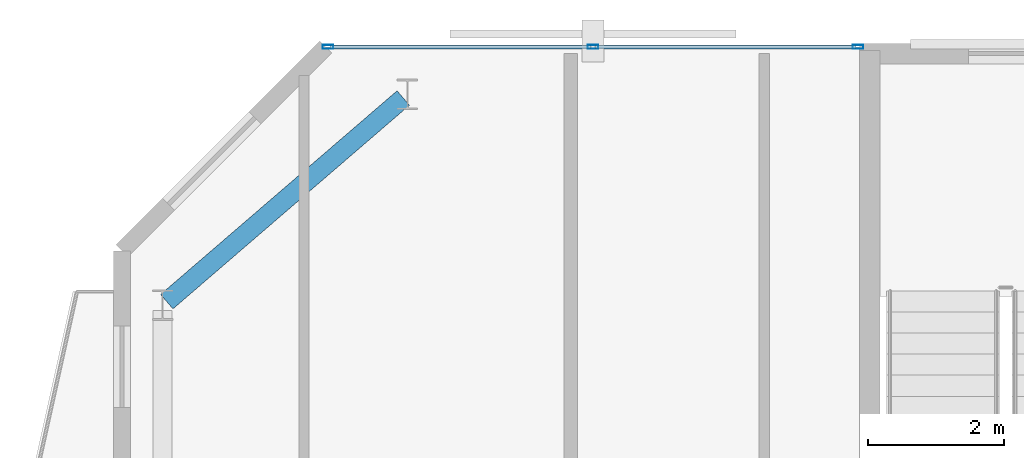
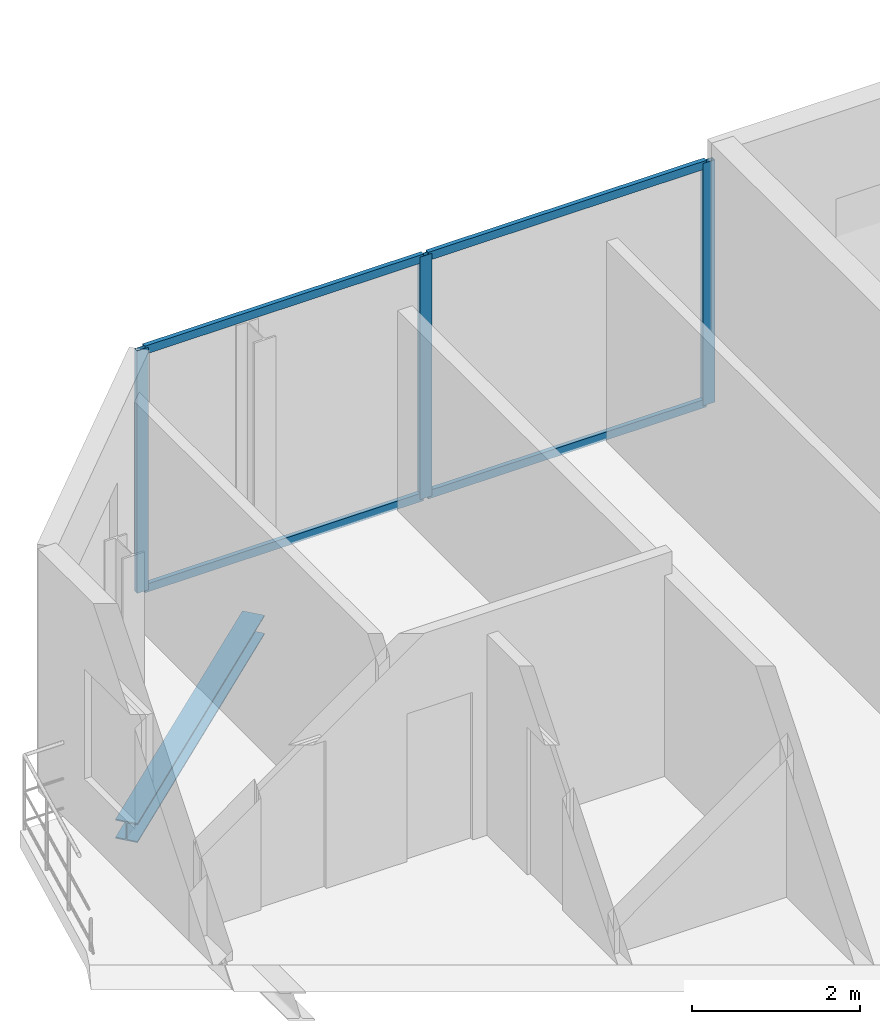
# One storey, part 16 of 22: 7 members, 1 beam, 1 element without a shape of its own.
"""IFC4 building model written with IfcOpenShell, lengths in metres."""

from ifc_helpers import new_model, si_unit, direction, frame, origin, origin_2d, place, context, subcontext, project, spatial, hollow_rectangle, i_section, extrude, material, layer, layer_set, material_profile, profile_set, type_object, element, aggregate, save


model = new_model("IFC4")

# Units and contexts
model_context = context("Model", 3, precision=1e-05, world=origin(), true_north=direction((0.0, 1.0)))
body_context = subcontext(model_context, "Body", "Model", "MODEL_VIEW")
ifc_project = project(units=[si_unit("LENGTHUNIT", "METRE"), si_unit("AREAUNIT", "SQUARE_METRE"), si_unit("VOLUMEUNIT", "CUBIC_METRE"), si_unit("PLANEANGLEUNIT", "RADIAN"), si_unit("MASSUNIT", "GRAM", prefix="KILO")], contexts=[model_context])

# Site, building, storey
site_placement = place(None, origin())
site = spatial("IfcSite", under=ifc_project, at=site_placement, CompositionType="ELEMENT")
building_placement = place(site_placement, origin())
building = spatial("IfcBuilding", under=site, at=building_placement, Name="Catumbela Crestline Tower", CompositionType="ELEMENT")
storey_placement = place(building_placement, frame((0.0, 0.0, 222.2)))
storey = spatial("IfcBuildingStorey", under=building, at=storey_placement, Name="L57", CompositionType="ELEMENT", Elevation=222.2)

# Curtain wall, members
ifc_material_1 = material(Name="Aluminium alloy AW-6060-T66", Category="aluminium")
ifc_layer = layer(ifc_material_1, 0.18, Name="Aluminium alloy AW-6060-T66")
ifc_layer_set = layer_set([ifc_layer], Name="Aluminium alloy AW-6060-T66")
curtain_wall_type = type_object("IfcCurtainWallType", Name="CWU-Z4", PredefinedType="USERDEFINED", material=ifc_layer_set)
curtain_wall_placement = place(storey_placement, origin())
curtain_wall = element("IfcCurtainWall", 1, at=curtain_wall_placement, inside=storey, type_object=curtain_wall_type, Name="L57 Unitised Curtain Wall CW-L57-E7S2", ObjectType="UNITISED", PredefinedType="USERDEFINED")
ifc_material_profile_1 = material_profile(ifc_material_1, hollow_rectangle(XDim=0.06, YDim=0.16, WallThickness=0.004, at=origin_2d()), Name="ALU 160x60x4")
ifc_profile_set_1 = profile_set([ifc_material_profile_1], Name="Aluminium alloy AW-6060-T66")
member_type_1 = type_object("IfcMemberType", Name="MUL-160X60", PredefinedType="MULLION", material=ifc_profile_set_1)
member_1_placement = place(storey_placement, frame((15.8275, 43.0, 0.0), z_axis=(0.0, 0.0, 1.0), x_axis=(0.0, -1.0, 0.0)))
member_1 = element("IfcMember", 2, at=member_1_placement, type_object=member_type_1, Name="CWU-Z4 mullion 1", PredefinedType="MULLION", context=body_context, shape_type="SweptSolid", body=[
    extrude(hollow_rectangle(XDim=0.06, YDim=0.16, WallThickness=0.004, at=origin_2d()), origin(), (0.0, 0.0, 1.0), 3.53),
])
member_2_placement = place(storey_placement, frame((11.93, 43.0, 0.0), z_axis=(0.0, 0.0, 1.0), x_axis=(0.0, -1.0, 0.0)))
member_2 = element("IfcMember", 3, at=member_2_placement, type_object=member_type_1, Name="CWU-Z4 mullion 2", PredefinedType="MULLION", context=body_context, shape_type="SweptSolid", body=[
    extrude(hollow_rectangle(XDim=0.06, YDim=0.16, WallThickness=0.004, at=origin_2d()), origin(), (0.0, 0.0, 1.0), 3.53),
])
member_3_placement = place(storey_placement, frame((8.0325, 43.0, 0.0), z_axis=(0.0, 0.0, 1.0), x_axis=(0.0, -1.0, 0.0)))
member_3 = element("IfcMember", 4, at=member_3_placement, type_object=member_type_1, Name="CWU-Z4 mullion 3", PredefinedType="MULLION", context=body_context, shape_type="SweptSolid", body=[
    extrude(hollow_rectangle(XDim=0.06, YDim=0.16, WallThickness=0.004, at=origin_2d()), origin(), (0.0, 0.0, 1.0), 3.53),
])

# Beam
ifc_material_2 = material(Name="Structural steel S355J2", Category="steel")
ifc_material_profile_2 = material_profile(ifc_material_2, i_section(OverallWidth=0.28, OverallDepth=0.28, WebThickness=0.0105, FlangeThickness=0.018, FilletRadius=0.024, at=origin_2d()), Name="HEB 280")
ifc_profile_set_2 = profile_set([ifc_material_profile_2], Name="Structural steel S355J2")
beam_type = type_object("IfcBeamType", Name="BS-HEB280", PredefinedType="SPANDREL", material=ifc_profile_set_2)
beam_placement = place(storey_placement, frame((5.6606, 39.2522, -0.4), z_axis=(0.757772392559, 0.652518966066, 0.0), x_axis=(-0.652518966066, 0.757772392559, 0.0)))
element("IfcBeam", 5, at=beam_placement, inside=storey, type_object=beam_type, Name="L57 Spandrel SP-L57-N09", PredefinedType="SPANDREL", context=body_context, shape_type="SweptSolid", body=[
    extrude(i_section(OverallWidth=0.28, OverallDepth=0.28, WebThickness=0.0105, FlangeThickness=0.018, FilletRadius=0.024, at=origin_2d()), origin(), (0.0, 0.0, 1.0), 4.5908),
])

# Member
ifc_material_profile_3 = material_profile(ifc_material_1, hollow_rectangle(XDim=0.06, YDim=0.12, WallThickness=0.0035, at=origin_2d()), Name="ALU 120x60x3.5")
ifc_profile_set_3 = profile_set([ifc_material_profile_3], Name="Aluminium alloy AW-6060-T66")
member_type_2 = type_object("IfcMemberType", Name="TRN-120X60", PredefinedType="USERDEFINED", material=ifc_profile_set_3)
member_4_placement = place(storey_placement, frame((15.795, 43.0, 0.03), z_axis=(-1.0, 0.0, 0.0), x_axis=(0.0, -1.0, 0.0)))
member_4 = element("IfcMember", 6, at=member_4_placement, type_object=member_type_2, Name="CWU-Z4 transom 1.1", ObjectType="TRANSOM", PredefinedType="USERDEFINED", context=body_context, shape_type="SweptSolid", body=[
    extrude(hollow_rectangle(XDim=0.06, YDim=0.12, WallThickness=0.0035, at=origin_2d()), origin(), (0.0, 0.0, 1.0), 3.8325),
])

member_5_placement = place(storey_placement, frame((15.795, 43.0, 3.5), z_axis=(-1.0, 0.0, 0.0), x_axis=(0.0, -1.0, 0.0)))
member_5 = element("IfcMember", 7, at=member_5_placement, type_object=member_type_2, Name="CWU-Z4 transom 1.2", ObjectType="TRANSOM", PredefinedType="USERDEFINED", context=body_context, shape_type="SweptSolid", body=[
    extrude(hollow_rectangle(XDim=0.06, YDim=0.12, WallThickness=0.0035, at=origin_2d()), origin(), (0.0, 0.0, 1.0), 3.8325),
])

member_6_placement = place(storey_placement, frame((11.8975, 43.0, 0.03), z_axis=(-1.0, 0.0, 0.0), x_axis=(0.0, -1.0, 0.0)))
member_6 = element("IfcMember", 8, at=member_6_placement, type_object=member_type_2, Name="CWU-Z4 transom 2.1", ObjectType="TRANSOM", PredefinedType="USERDEFINED", context=body_context, shape_type="SweptSolid", body=[
    extrude(hollow_rectangle(XDim=0.06, YDim=0.12, WallThickness=0.0035, at=origin_2d()), origin(), (0.0, 0.0, 1.0), 3.8325),
])

member_7_placement = place(storey_placement, frame((11.8975, 43.0, 3.5), z_axis=(-1.0, 0.0, 0.0), x_axis=(0.0, -1.0, 0.0)))
member_7 = element("IfcMember", 9, at=member_7_placement, type_object=member_type_2, Name="CWU-Z4 transom 2.2", ObjectType="TRANSOM", PredefinedType="USERDEFINED", context=body_context, shape_type="SweptSolid", body=[
    extrude(hollow_rectangle(XDim=0.06, YDim=0.12, WallThickness=0.0035, at=origin_2d()), origin(), (0.0, 0.0, 1.0), 3.8325),
])

aggregate(curtain_wall, [member_1, member_2, member_3, member_4, member_5, member_6, member_7])

save(model, "model.ifc")
